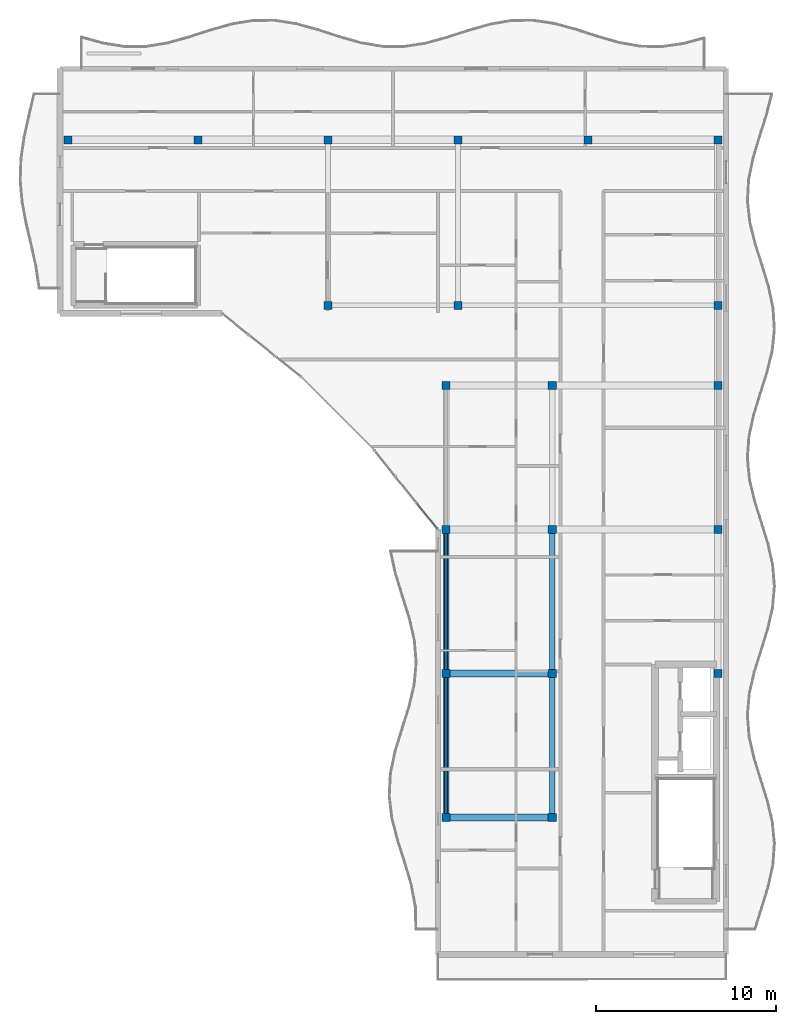
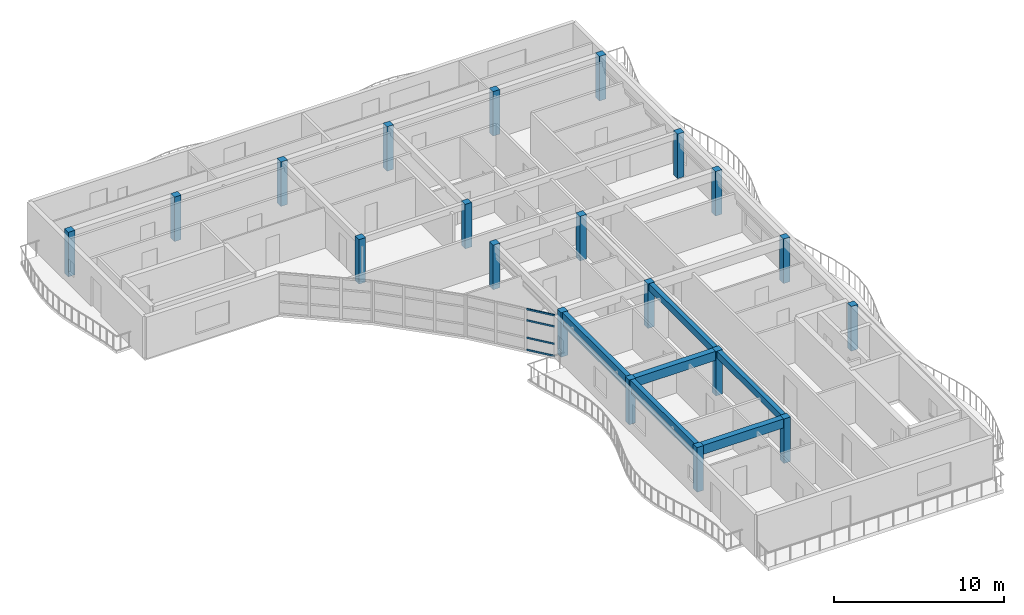
# One storey, part 1 of 14: 20 columns, 8 members, 6 beams, 1 element without a shape of its own.
"""IFC4 building model written with IfcOpenShell, lengths in metres."""

import ifcopenshell
import ifcopenshell.guid

model = None  # the IFC model being written
_history = None  # IfcOwnerHistory: only IFC2X3 demands one
_inside = {}  # id of a spatial element -> (the spatial element, [elements in it])
_under = {}  # id of a project, library or spatial element -> (it, [spatial elements below it])
_declared = {}  # id of a project -> (the project, [libraries it declares])
_typed = {}  # id of a type object -> (the type object, [elements of that type])
_made_of = {}  # id of a material, layer set ... -> (it, [elements and type objects made of it])


def new_model(schema):
    """Start an empty IFC model of exactly this schema.

    Asked for "IFC4X3", IfcOpenShell would pick the latest addendum, in which some entities
    have other attributes; the version numbers below select the first issue.
    IFC2X3 requires an IfcOwnerHistory on every rooted entity: one is made here for all.
    """
    global model, _history
    if schema == "IFC4X3":
        model = ifcopenshell.file(schema_version=(4, 3, 0, 0))
    else:
        model = ifcopenshell.file(schema=schema)
    _inside.clear()
    _under.clear()
    _declared.clear()
    _typed.clear()
    _made_of.clear()
    _history = None
    if model.schema == "IFC2X3":
        org = make("IfcOrganization", Name="unknown")
        user = make(
            "IfcPersonAndOrganization",
            ThePerson=make("IfcPerson", FamilyName="unknown"),
            TheOrganization=org,
        )
        app = make(
            "IfcApplication",
            ApplicationDeveloper=org,
            Version="unknown",
            ApplicationFullName="unknown",
            ApplicationIdentifier="unknown",
        )
        _history = make(
            "IfcOwnerHistory",
            OwningUser=user,
            OwningApplication=app,
            ChangeAction="ADDED",
            CreationDate=0,
        )
    return model


def make(cls, **values):
    """One entity of the class cls with the attributes given. An attribute that is None is left unset."""
    return model.create_entity(
        cls, **{name: value for name, value in values.items() if value is not None}
    )


def rooted(cls, **values):
    """An entity with a GlobalId (a new one), such as an element, a storey or a relation."""
    return make(cls, GlobalId=ifcopenshell.guid.new(), OwnerHistory=_history, **values)


def si_unit(unit_type, name, prefix=None):
    """IfcSIUnit, for example si_unit("LENGTHUNIT", "METRE", prefix="MILLI")."""
    return make("IfcSIUnit", UnitType=unit_type, Prefix=prefix, Name=name)


def assignment(units):
    """IfcUnitAssignment: the units of a project."""
    return None if units is None else make("IfcUnitAssignment", Units=units)


def point(xyz):
    """IfcCartesianPoint."""
    return None if xyz is None else make("IfcCartesianPoint", Coordinates=xyz)


def direction(xyz):
    """IfcDirection."""
    return None if xyz is None else make("IfcDirection", DirectionRatios=xyz)


def frame(location, z_axis=None, x_axis=None):
    """IfcAxis2Placement3D, a coordinate frame: its origin and axes. An axis left out is left unset."""
    return make(
        "IfcAxis2Placement3D",
        Location=point(location),
        Axis=direction(z_axis),
        RefDirection=direction(x_axis),
    )


def frame_2d(location, x_axis=None):
    """IfcAxis2Placement2D, a coordinate frame in the plane: its origin and x axis."""
    return make(
        "IfcAxis2Placement2D", Location=point(location), RefDirection=direction(x_axis)
    )


def origin():
    """The frame at (0, 0, 0) with its axes left unset."""
    return frame((0.0, 0.0, 0.0))


def origin_2d():
    """The frame at (0, 0) in the plane with its x axis left unset."""
    return frame_2d((0.0, 0.0))


def place(relative_to, where):
    """IfcLocalPlacement: puts the frame where relative to a parent placement (None: the world)."""
    return make(
        "IfcLocalPlacement", PlacementRelTo=relative_to, RelativePlacement=where
    )


def context(
    kind, dimensions, precision=None, world=None, true_north=None, identifier=None
):
    """IfcGeometricRepresentationContext, for example the 3D "Model" context."""
    return make(
        "IfcGeometricRepresentationContext",
        ContextIdentifier=identifier,
        ContextType=kind,
        CoordinateSpaceDimension=dimensions,
        Precision=precision,
        WorldCoordinateSystem=world,
        TrueNorth=true_north,
    )


def subcontext(parent, identifier, kind, view, scale=None):
    """IfcGeometricRepresentationSubContext, for example "Body" below "Model"."""
    return make(
        "IfcGeometricRepresentationSubContext",
        ContextIdentifier=identifier,
        ContextType=kind,
        ParentContext=parent,
        TargetScale=scale,
        TargetView=view,
    )


def project(units=None, contexts=None):
    """IfcProject with its units and contexts."""
    return rooted(
        "IfcProject",
        Name="project",
        RepresentationContexts=contexts,
        UnitsInContext=assignment(units),
    )


def spatial(cls, under=None, at=None, **own):
    """A site, building, storey or space (cls), placed at a placement, below another one or the project."""
    s = rooted(cls, ObjectPlacement=at, **own)
    if under is not None:
        _under.setdefault(under.id(), (under, []))[1].append(s)
    return s


def profile(cls, at=None, kind="AREA", **sizes):
    """A parametric profile (cls). Its sizes go by their IFC names, for example OverallWidth=200.0."""
    return make(cls, ProfileType=kind, Position=at, **sizes)


def rectangle(**sizes):
    """IfcRectangleProfileDef."""
    return profile("IfcRectangleProfileDef", **sizes)


def hollow_rectangle(**sizes):
    """IfcRectangleHollowProfileDef."""
    return profile("IfcRectangleHollowProfileDef", **sizes)


def extrude(swept, where, along, depth):
    """IfcExtrudedAreaSolid: the profile swept, set in the frame where, extruded along a direction by depth."""
    return make(
        "IfcExtrudedAreaSolid",
        SweptArea=swept,
        Position=where,
        ExtrudedDirection=direction(along),
        Depth=depth,
    )


def shape(context_of_items, identifier, shape_type, items):
    """IfcShapeRepresentation: the items that make up one representation, for example the "Body"."""
    return make(
        "IfcShapeRepresentation",
        ContextOfItems=context_of_items,
        RepresentationIdentifier=identifier,
        RepresentationType=shape_type,
        Items=items,
    )


def material(Name=None, Category=None):
    """IfcMaterial."""
    return make("IfcMaterial", Name=Name, Category=Category)


def layer(
    of_material, thickness, ventilated=None, Name=None, Category=None, Priority=None
):
    """IfcMaterialLayer: one layer of a wall or slab, of a material (None: an air gap)."""
    return make(
        "IfcMaterialLayer",
        Material=of_material,
        LayerThickness=thickness,
        IsVentilated=ventilated,
        Name=Name,
        Category=Category,
        Priority=Priority,
    )


def layer_set(layers, Name=None):
    """IfcMaterialLayerSet."""
    return make("IfcMaterialLayerSet", MaterialLayers=layers, LayerSetName=Name)


def material_profile(
    of_material, cross_section, Name=None, Category=None, Priority=None
):
    """IfcMaterialProfile: a cross section and its material."""
    return make(
        "IfcMaterialProfile",
        Name=Name,
        Material=of_material,
        Profile=cross_section,
        Priority=Priority,
        Category=Category,
    )


def profile_set(profiles, Name=None, composite=None):
    """IfcMaterialProfileSet."""
    return make(
        "IfcMaterialProfileSet",
        Name=Name,
        MaterialProfiles=profiles,
        CompositeProfile=composite,
    )


def made_of(thing, what):
    """Note that an element or type object is made of a material, layer set ...; save() writes the relation."""
    if what is not None:
        _made_of.setdefault(what.id(), (what, []))[1].append(thing)
    return thing


def type_object(cls, material=None, **own):
    """A type object (cls), such as IfcWallType, which elements share."""
    return made_of(rooted(cls, **own), material)


def element(
    cls,
    number,
    at=None,
    inside=None,
    cuts=None,
    type_object=None,
    material=None,
    context=None,
    identifier="Body",
    shape_type=None,
    held_by="IfcProductDefinitionShape",
    body=None,
    shapes=None,
    **own,
):
    """One element of the class cls, such as IfcWall. Its Tag is "e" and its number.

    at: its placement. inside: the storey or other place that contains it. cuts: it is an
    opening in that element (IfcRelVoidsElement). A single representation is given by context,
    identifier, shape_type and body (its items); several are given by shapes. held_by: the class
    of the entity that holds the representations. save() writes the other relations.
    """
    e = rooted(cls, Tag="e%d" % number, ObjectPlacement=at, **own)
    if body is not None:
        shapes = [shape(context, identifier, shape_type, body)]
    if shapes is not None:
        e.Representation = make(held_by, Representations=shapes)
    if inside is not None:
        _inside.setdefault(inside.id(), (inside, []))[1].append(e)
    if cuts is not None:
        rooted(
            "IfcRelVoidsElement", RelatingBuildingElement=cuts, RelatedOpeningElement=e
        )
    if type_object is not None:
        _typed.setdefault(type_object.id(), (type_object, []))[1].append(e)
    return made_of(e, material)


def aggregate(whole, parts):
    """IfcRelAggregates: a whole, such as a stair, and the parts it consists of."""
    return rooted("IfcRelAggregates", RelatingObject=whole, RelatedObjects=parts)


def save(model, path):
    """Write the relations noted so far, then the file.

    IfcRelAggregates (storeys below a building ...), IfcRelContainedInSpatialStructure (elements
    in a storey), IfcRelDefinesByType, IfcRelAssociatesMaterial and IfcRelDeclares: one each for
    every whole, place, type object, material and project.
    """
    for whole, parts in _under.values():
        aggregate(whole, parts)
    for where, things in _inside.values():
        rooted(
            "IfcRelContainedInSpatialStructure",
            RelatedElements=things,
            RelatingStructure=where,
        )
    for kind, things in _typed.values():
        rooted("IfcRelDefinesByType", RelatedObjects=things, RelatingType=kind)
    for what, things in _made_of.values():
        rooted("IfcRelAssociatesMaterial", RelatedObjects=things, RelatingMaterial=what)
    for by, libraries in _declared.values():
        rooted("IfcRelDeclares", RelatingContext=by, RelatedDefinitions=libraries)
    model.write(path)


model = new_model("IFC4")

# Units and contexts
model_context = context("Model", 3, precision=1e-05, world=origin(), true_north=direction((0.0, 1.0)))
body_context = subcontext(model_context, "Body", "Model", "MODEL_VIEW")
ifc_project = project(units=[si_unit("LENGTHUNIT", "METRE"), si_unit("AREAUNIT", "SQUARE_METRE"), si_unit("VOLUMEUNIT", "CUBIC_METRE"), si_unit("PLANEANGLEUNIT", "RADIAN"), si_unit("MASSUNIT", "GRAM", prefix="KILO")], contexts=[model_context])

# Site, building, storey
site_placement = place(None, origin())
site = spatial("IfcSite", under=ifc_project, at=site_placement, CompositionType="ELEMENT")
building_placement = place(site_placement, origin())
building = spatial("IfcBuilding", under=site, at=building_placement, Name="Keldmere Railside Commons", CompositionType="ELEMENT")
storey_placement = place(building_placement, frame((0.0, 0.0, 42.56005859375)))
storey = spatial("IfcBuildingStorey", under=building, at=storey_placement, Name="L13", CompositionType="ELEMENT", Elevation=42.56005859375)

# Columns
ifc_material_1 = material(Name="Concrete H-35 (C35/45)", Category="concrete")
ifc_material_profile_1 = material_profile(ifc_material_1, rectangle(XDim=0.449951171875, YDim=0.449951171875, at=origin_2d()), Name="RC-450x450")
ifc_profile_set_1 = profile_set([ifc_material_profile_1], Name="Concrete H-35 (C35/45)")
column_type = type_object("IfcColumnType", Name="Top-Tier & Nursery RC Column 450x450", PredefinedType="COLUMN", material=ifc_profile_set_1)
for number, where, z_axis, x_axis, name in (
    (1, (147.449951171875, 109.64990234375, 0.0), (0.0, 0.0, 1.0), (1.0, 0.0, 0.0), "C-450 COL-L13-1386"),
    (2, (154.669921875, 109.64990234375, 0.0), (0.0, 0.0, 1.0), (1.0, 0.0, 0.0), "C-450 COL-L13-1438"),
    (3, (161.889892578125, 100.449951171875, 0.0), (0.0, 0.0, 1.0), (1.0, 0.0, 0.0), "C-450 COL-L13-1491"),
    (4, (161.889892578125, 109.64990234375, 0.0), (0.0, 0.0, 1.0), (1.0, 0.0, 0.0), "C-450 COL-L13-1507"),
    (5, (168.449951171875, 72.0, 0.0), (0.0, 0.0, 1.0), (1.0, 0.0, 0.0), "C-450 COL-L13-1581"),
    (6, (168.449951171875, 80.0, 0.0), (0.0, 0.0, 1.0), (1.0, 0.0, 0.0), "C-450 COL-L13-1596"),
    (7, (168.449951171875, 88.0, 0.0), (0.0, 0.0, 1.0), (1.0, 0.0, 0.0), "C-450 COL-L13-1611"),
    (8, (168.449951171875, 96.0, 0.0), (0.0, 0.0, 1.0), (1.0, 0.0, 0.0), "C-450 COL-L13-1626"),
    (9, (169.110107421875, 100.449951171875, 0.0), (0.0, 0.0, 1.0), (1.0, 0.0, 0.0), "C-450 COL-L13-1641"),
    (10, (169.110107421875, 109.64990234375, 0.0), (0.0, 0.0, 1.0), (1.0, 0.0, 0.0), "C-450 COL-L13-1657"),
    (11, (174.35009765625, 72.0, 0.0), (0.0, 0.0, 1.0), (1.0, 0.0, 0.0), "C-450 COL-L13-1707"),
    (12, (174.35009765625, 80.0, 0.0), (0.0, 0.0, 1.0), (1.0, 0.0, 0.0), "C-450 COL-L13-1722"),
    (13, (174.35009765625, 88.0, 0.0), (0.0, 0.0, 1.0), (1.0, 0.0, 0.0), "C-450 COL-L13-1737"),
    (14, (174.35009765625, 96.0, 0.0), (0.0, 0.0, 1.0), (1.0, 0.0, 0.0), "C-450 COL-L13-1752"),
    (15, (176.330078125, 109.64990234375, 0.0), (0.0, 0.0, 1.0), (1.0, 0.0, 0.0), "C-450 COL-L13-1785"),
    (16, (183.550048828125, 80.0, 0.0), (0.0, 0.0, 1.0), (1.0, 0.0, 0.0), "C-450 COL-L13-1839"),
    (17, (183.550048828125, 88.0, 0.0), (0.0, 0.0, 1.0), (1.0, 0.0, 0.0), "C-450 COL-L13-1854"),
    (18, (183.550048828125, 96.0, 0.0), (0.0, 0.0, 1.0), (1.0, 0.0, 0.0), "C-450 COL-L13-1869"),
    (19, (183.550048828125, 100.449951171875, 0.0), (0.0, 0.0, 1.0), (1.0, 0.0, 0.0), "C-450 COL-L13-1884"),
    (20, (183.550048828125, 109.64990234375, 0.0), (0.0, 0.0, 1.0), (1.0, 0.0, 0.0), "C-450 COL-L13-1900"),
):
    element("IfcColumn", number, at=place(storey_placement, frame(where, z_axis=z_axis, x_axis=x_axis)), inside=storey, type_object=column_type, Name=name, PredefinedType="COLUMN", context=body_context, shape_type="SweptSolid", body=[
        extrude(rectangle(XDim=0.449951171875, YDim=0.449951171875, at=origin_2d()), origin(), (0.0, 0.0, 1.0), 3.199951171875),
    ])

# Members
ifc_material_2 = material(Name="Steel F-36 (S355)", Category="steel")
ifc_material_profile_2 = material_profile(ifc_material_2, hollow_rectangle(XDim=0.14990234375, YDim=0.25, WallThickness=0.010009765625, at=origin_2d()), Name="RHS-250x150x10")
ifc_profile_set_2 = profile_set([ifc_material_profile_2], Name="Steel F-36 (S355)")
member_type_1 = type_object("IfcMemberType", Name="Balcony Continuous Planted Trough RHS250x150", PredefinedType="CHORD", material=ifc_profile_set_2)
for number, where, z_axis, x_axis, name in (
    (21, (168.449951171875, 72.22509765625, 2.4150390625), (0.0, 1.0, 0.0), (-1.0, 0.0, 0.0), "PLT-1 MEM-BPLT-1047"),
    (22, (168.449951171875, 80.22509765625, 2.4150390625), (0.0, 1.0, 0.0), (-1.0, 0.0, 0.0), "PLT-1 MEM-BPLT-1049"),
):
    element("IfcMember", number, at=place(storey_placement, frame(where, z_axis=z_axis, x_axis=x_axis)), inside=storey, type_object=member_type_1, Name=name, PredefinedType="CHORD", context=body_context, shape_type="SweptSolid", body=[
        extrude(hollow_rectangle(XDim=0.14990234375, YDim=0.25, WallThickness=0.010009765625, at=origin_2d()), origin(), (0.0, 0.0, 1.0), 7.5498046875),
    ])

# Beams
ifc_material_3 = material(Name="Concrete H-30 (C30/37)", Category="concrete")
ifc_material_profile_3 = material_profile(ifc_material_3, rectangle(XDim=0.39990234375, YDim=0.64990234375, at=origin_2d()), Name="RC-400x650")
ifc_profile_set_3 = profile_set([ifc_material_profile_3], Name="Concrete H-30 (C30/37)")
beam_type_1 = type_object("IfcBeamType", Name="Residential Spine RC Girder 400x650", PredefinedType="BEAM", material=ifc_profile_set_3)
for number, where, z_axis, x_axis, name in (
    (23, (168.675048828125, 72.0, 2.875), (1.0, 0.0, 0.0), (0.0, 1.0, 0.0), "BG-3 BM-L13-2514"),
    (24, (168.675048828125, 80.0, 2.875), (1.0, 0.0, 0.0), (0.0, 1.0, 0.0), "BG-3 BM-L13-2515"),
):
    element("IfcBeam", number, at=place(storey_placement, frame(where, z_axis=z_axis, x_axis=x_axis)), inside=storey, type_object=beam_type_1, Name=name, PredefinedType="BEAM", context=body_context, shape_type="SweptSolid", body=[
        extrude(rectangle(XDim=0.39990234375, YDim=0.64990234375, at=origin_2d()), origin(), (0.0, 0.0, 1.0), 5.449951171875),
    ])
ifc_material_profile_4 = material_profile(ifc_material_3, rectangle(XDim=0.300048828125, YDim=0.5, at=origin_2d()), Name="RC-300x500")
ifc_profile_set_4 = profile_set([ifc_material_profile_4], Name="Concrete H-30 (C30/37)")
beam_type_2 = type_object("IfcBeamType", Name="Secondary Frame RC Beam 300x500", PredefinedType="BEAM", material=ifc_profile_set_4)
for number, where, z_axis, x_axis, name in (
    (25, (168.449951171875, 72.22509765625, 2.949951171875), (0.0, 1.0, 0.0), (-1.0, 0.0, 0.0), "BG-5 BM-L13-2528"),
    (26, (168.449951171875, 80.22509765625, 2.949951171875), (0.0, 1.0, 0.0), (-1.0, 0.0, 0.0), "BG-5 BM-L13-2529"),
    (27, (174.35009765625, 72.22509765625, 2.949951171875), (0.0, 1.0, 0.0), (-1.0, 0.0, 0.0), "BG-5 BM-L13-2532"),
    (28, (174.35009765625, 80.22509765625, 2.949951171875), (0.0, 1.0, 0.0), (-1.0, 0.0, 0.0), "BG-5 BM-L13-2533"),
):
    element("IfcBeam", number, at=place(storey_placement, frame(where, z_axis=z_axis, x_axis=x_axis)), inside=storey, type_object=beam_type_2, Name=name, PredefinedType="BEAM", context=body_context, shape_type="SweptSolid", body=[
        extrude(rectangle(XDim=0.300048828125, YDim=0.5, at=origin_2d()), origin(), (0.0, 0.0, 1.0), 7.5498046875),
    ])

# Members
ifc_material_profile_5 = material_profile(ifc_material_2, hollow_rectangle(XDim=0.10009765625, YDim=0.159912109375, WallThickness=0.008056640625, at=origin_2d()), Name="RHS-160x100x8")
ifc_profile_set_5 = profile_set([ifc_material_profile_5], Name="Steel F-36 (S355)")
member_type_2 = type_object("IfcMemberType", Name="Solar Brise-Soleil Louvre Fin RHS160x100", PredefinedType="STRUT", material=ifc_profile_set_5)
for number, where, z_axis, x_axis, name in (
    (29, (168.449951171875, 72.22509765625, 2.199951171875), (0.0, 1.0, 0.0), (-1.0, 0.0, 0.0), "BSF-1 MEM-BSF-1048"),
    (30, (168.449951171875, 80.22509765625, 2.199951171875), (0.0, 1.0, 0.0), (-1.0, 0.0, 0.0), "BSF-1 MEM-BSF-1050"),
):
    element("IfcMember", number, at=place(storey_placement, frame(where, z_axis=z_axis, x_axis=x_axis)), inside=storey, type_object=member_type_2, Name=name, PredefinedType="STRUT", context=body_context, shape_type="SweptSolid", body=[
        extrude(hollow_rectangle(XDim=0.10009765625, YDim=0.159912109375, WallThickness=0.008056640625, at=origin_2d()), origin(), (0.0, 0.0, 1.0), 7.5498046875),
    ])

# Curtain wall, members
ifc_material_4 = material(Name="Thermally Broken Aluminium", Category="aluminium")
ifc_layer = layer(ifc_material_4, 0.159912109375, Name="Court Chord Wintergarden CW 5400x2850")
ifc_layer_set = layer_set([ifc_layer], Name="Thermally Broken Aluminium")
curtain_wall_type = type_object("IfcCurtainWallType", Name="Court Chord Wintergarden CW 5400x2850", PredefinedType="NOTDEFINED", material=ifc_layer_set)
curtain_wall_placement = place(storey_placement, origin())
curtain_wall = element("IfcCurtainWall", 31, at=curtain_wall_placement, inside=storey, type_object=curtain_wall_type, Name="CW-13 CW-L13-198", PredefinedType="NOTDEFINED")
ifc_material_profile_6 = material_profile(ifc_material_4, hollow_rectangle(XDim=0.06494140625, YDim=0.1201171875, WallThickness=0.00390625, at=origin_2d()), Name="ALU-TRAN-65x120")
ifc_profile_set_6 = profile_set([ifc_material_profile_6], Name="Thermally Broken Aluminium")
member_type_3 = type_object("IfcMemberType", Name="Unitised Curtain Wall Transom 65x120", PredefinedType="USERDEFINED", material=ifc_profile_set_6)
member_1_placement = place(storey_placement, frame((167.959228515625, 88.05078125, 0.032470703125), z_axis=(-0.625722553313, 0.780045694992, 0.0), x_axis=(-0.780045694992, -0.625722553313, 0.0)))
member_1 = element("IfcMember", 32, at=member_1_placement, type_object=member_type_3, Name="CW-13 transom 1.1", ObjectType="TRANSOM", PredefinedType="USERDEFINED", context=body_context, shape_type="SweptSolid", body=[
    extrude(hollow_rectangle(XDim=0.06494140625, YDim=0.1201171875, WallThickness=0.00390625, at=origin_2d()), origin(), (0.0, 0.0, 1.0), 1.795654296875),
])
member_2_placement = place(storey_placement, frame((167.959228515625, 88.05078125, 0.89990234375), z_axis=(-0.625722553313, 0.780045694992, 0.0), x_axis=(-0.780045694992, -0.625722553313, 0.0)))
member_2 = element("IfcMember", 33, at=member_2_placement, type_object=member_type_3, Name="CW-13 transom 1.2", ObjectType="TRANSOM", PredefinedType="USERDEFINED", context=body_context, shape_type="SweptSolid", body=[
    extrude(hollow_rectangle(XDim=0.06494140625, YDim=0.1201171875, WallThickness=0.00390625, at=origin_2d()), origin(), (0.0, 0.0, 1.0), 1.795654296875),
])
member_3_placement = place(storey_placement, frame((167.959228515625, 88.05078125, 2.14990234375), z_axis=(-0.625722553313, 0.780045694992, 0.0), x_axis=(-0.780045694992, -0.625722553313, 0.0)))
member_3 = element("IfcMember", 34, at=member_3_placement, type_object=member_type_3, Name="CW-13 transom 1.3", ObjectType="TRANSOM", PredefinedType="USERDEFINED", context=body_context, shape_type="SweptSolid", body=[
    extrude(hollow_rectangle(XDim=0.06494140625, YDim=0.1201171875, WallThickness=0.00390625, at=origin_2d()), origin(), (0.0, 0.0, 1.0), 1.795654296875),
])
member_4_placement = place(storey_placement, frame((167.959228515625, 88.05078125, 2.947509765625), z_axis=(-0.625722553313, 0.780045694992, 0.0), x_axis=(-0.780045694992, -0.625722553313, 0.0)))
member_4 = element("IfcMember", 35, at=member_4_placement, type_object=member_type_3, Name="CW-13 transom 1.4", ObjectType="TRANSOM", PredefinedType="USERDEFINED", context=body_context, shape_type="SweptSolid", body=[
    extrude(hollow_rectangle(XDim=0.06494140625, YDim=0.1201171875, WallThickness=0.00390625, at=origin_2d()), origin(), (0.0, 0.0, 1.0), 1.795654296875),
])
aggregate(curtain_wall, [member_1, member_2, member_3, member_4])

save(model, "model.ifc")
